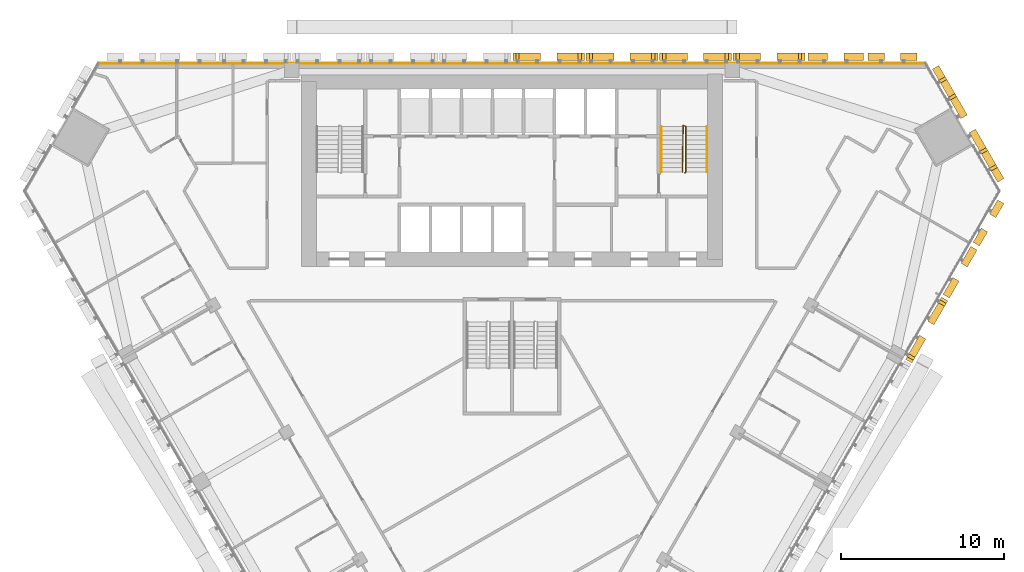
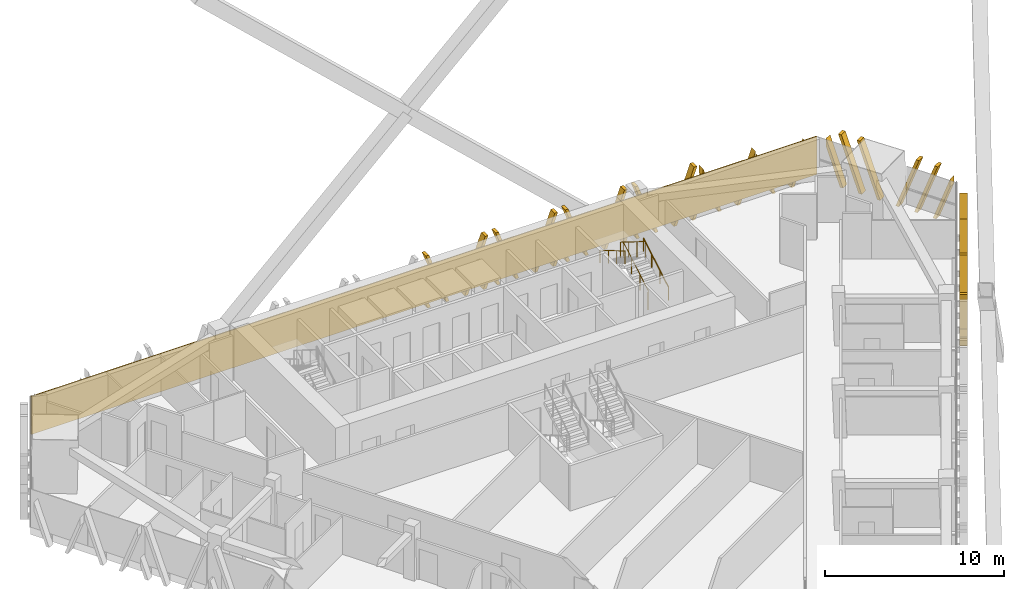
# One storey, part 18 of 19: 10 shading devices, 3 railings, 1 covering.
"""IFC4 building model written with IfcOpenShell, lengths in metres."""

from ifc_helpers import new_model, si_unit, direction, frame, frame_2d, origin, origin_2d, place, context, subcontext, project, spatial, polyline, rectangle, circle, outline, extrude, source, transform, mapped, material, layer, layer_set, type_object, element, save


model = new_model("IFC4")

# Units and contexts
model_context = context("Model", 3, precision=1e-05, world=origin(), true_north=direction((0.0, 1.0)))
body_context = subcontext(model_context, "Body", "Model", "MODEL_VIEW")
ifc_project = project(units=[si_unit("LENGTHUNIT", "METRE"), si_unit("AREAUNIT", "SQUARE_METRE"), si_unit("VOLUMEUNIT", "CUBIC_METRE"), si_unit("PLANEANGLEUNIT", "RADIAN"), si_unit("MASSUNIT", "GRAM", prefix="KILO")], contexts=[model_context])

# Site, building, storey
site_placement = place(None, origin())
site = spatial("IfcSite", under=ifc_project, at=site_placement, CompositionType="ELEMENT")
building_placement = place(site_placement, origin())
building = spatial("IfcBuilding", under=site, at=building_placement, Name="Altiplano Prism Tower", CompositionType="ELEMENT")
storey_placement = place(building_placement, frame((0.0, 0.0, 70.199951171875)))
storey = spatial("IfcBuildingStorey", under=building, at=storey_placement, Name="L17", CompositionType="ELEMENT", Elevation=70.199951171875)

# Railings
ifc_material_1 = material(Name="Steel S355", Category="steel")
railing_type_1 = type_object("IfcRailingType", Name="Stair guard 1100", PredefinedType="GUARDRAIL", material=ifc_material_1)
railing_1_placement = place(storey_placement, frame((95.60009765625, 98.25, 0.0)))
element("IfcRailing", 1, at=railing_1_placement, inside=storey, type_object=railing_type_1, Name="L17 ST2 stair guard 1", PredefinedType="GUARDRAIL", context=body_context, shape_type="SweptSolid", body=[
    extrude(circle(Radius=0.02392578125, at=origin_2d()), frame((0.0, 0.0, 1.076171875), z_axis=(0.279546231943, 0.280916556609, 0.91811752648), x_axis=(-0.708833529934, 0.705375805398, 0.0)), (0.0, 0.0, 1.0), 0.17822265625),
    extrude(circle(Radius=0.02392578125, at=origin_2d()), frame((0.0498046875, 0.050048828125, 1.23974609375), z_axis=(0.0, 0.863360870873, 0.504586966384), x_axis=(-1.0, 0.0, 0.0)), (0.0, 0.0, 1.0), 3.2431640625),
    extrude(circle(Radius=0.02392578125, at=origin_2d()), frame((0.0498046875, 2.85009765625, 2.8759765625), z_axis=(-0.948991962702, 0.315300261223, 0.0), x_axis=(-0.315300261223, -0.948991962702, 0.0)), (0.0, 0.0, 1.0), 0.157958984375),
    extrude(circle(Radius=0.02392578125, at=origin_2d()), frame((-0.10009765625, 2.89990234375, 2.8759765625), z_axis=(-0.014846418356, -0.845376787675, 0.533964109957), x_axis=(0.999845825584, -0.017559187376, 0.0)), (0.0, 0.0, 1.0), 3.37109375),
    extrude(circle(Radius=0.02099609375, at=origin_2d()), origin(), (0.0, 0.0, 1.0), 1.052001953125),
    extrude(circle(Radius=0.02099609375, at=origin_2d()), frame((0.0498046875, 0.050048828125, 0.16357421875)), (0.0, 0.0, 1.0), 1.052001953125),
    extrude(circle(Radius=0.02099609375, at=origin_2d()), frame((0.0498046875, 0.9833984375, 0.708984375)), (0.0, 0.0, 1.0), 1.052001953125),
    extrude(circle(Radius=0.02099609375, at=origin_2d()), frame((0.0498046875, 1.916748046875, 1.254638671875)), (0.0, 0.0, 1.0), 1.052001953125),
    extrude(circle(Radius=0.02099609375, at=origin_2d()), frame((0.0498046875, 2.85009765625, 1.800048828125)), (0.0, 0.0, 1.0), 1.052001953125),
    extrude(circle(Radius=0.02099609375, at=origin_2d()), frame((-0.10009765625, 2.89990234375, 1.800048828125)), (0.0, 0.0, 1.0), 1.052001953125),
    extrude(circle(Radius=0.02099609375, at=origin_2d()), frame((-0.11669921875, 1.949951171875, 2.400146484375)), (0.0, 0.0, 1.0), 1.052001953125),
    extrude(circle(Radius=0.02099609375, at=origin_2d()), frame((-0.133544921875, 1.0, 3.0)), (0.0, 0.0, 1.0), 1.052001953125),
    extrude(circle(Radius=0.02099609375, at=origin_2d()), frame((-0.150146484375, 0.050048828125, 3.60009765625)), (0.0, 0.0, 1.0), 1.052001953125),
])
railing_type_2 = type_object("IfcRailingType", Name="Stair handrail 900", PredefinedType="HANDRAIL", material=ifc_material_1)
railing_2_placement = place(storey_placement, frame((96.949951171875, 98.300048828125, 0.16357421875)))
element("IfcRailing", 2, at=railing_2_placement, inside=storey, type_object=railing_type_2, Name="L17 ST2 stair handrail 1", PredefinedType="HANDRAIL", context=body_context, shape_type="SweptSolid", body=[
    extrude(circle(Radius=0.02392578125, at=origin_2d()), frame((0.0, 0.0, 0.8759765625), z_axis=(0.0, 0.863360870873, 0.504586966384), x_axis=(-1.0, 0.0, 0.0)), (0.0, 0.0, 1.0), 3.2431640625),
    extrude(circle(Radius=0.02099609375, at=origin_2d()), origin(), (0.0, 0.0, 1.0), 0.851806640625),
    extrude(circle(Radius=0.02099609375, at=origin_2d()), frame((0.0, 0.933349609375, 0.54541015625)), (0.0, 0.0, 1.0), 0.851806640625),
    extrude(circle(Radius=0.02099609375, at=origin_2d()), frame((0.0, 1.86669921875, 1.091064453125)), (0.0, 0.0, 1.0), 0.851806640625),
    extrude(circle(Radius=0.02099609375, at=origin_2d()), frame((0.0, 2.800048828125, 1.636474609375)), (0.0, 0.0, 1.0), 0.851806640625),
])
railing_3_placement = place(storey_placement, frame((94.14990234375, 101.10009765625, 1.963623046875)))
element("IfcRailing", 3, at=railing_3_placement, inside=storey, type_object=railing_type_2, Name="L17 ST2 stair handrail 2", PredefinedType="HANDRAIL", context=body_context, shape_type="SweptSolid", body=[
    extrude(circle(Radius=0.02392578125, at=origin_2d()), frame((0.0, 0.0, 0.8759765625), z_axis=(0.0, -0.863360870873, 0.504586966384), x_axis=(1.0, 0.0, 0.0)), (0.0, 0.0, 1.0), 3.2431640625),
    extrude(circle(Radius=0.02099609375, at=origin_2d()), origin(), (0.0, 0.0, 1.0), 0.851806640625),
    extrude(circle(Radius=0.02099609375, at=origin_2d()), frame((0.0, -0.933349609375, 0.54541015625)), (0.0, 0.0, 1.0), 0.851806640625),
    extrude(circle(Radius=0.02099609375, at=origin_2d()), frame((0.0, -1.86669921875, 1.091064453125)), (0.0, 0.0, 1.0), 0.851806640625),
    extrude(circle(Radius=0.02099609375, at=origin_2d()), frame((0.0, -2.800048828125, 1.636474609375)), (0.0, 0.0, 1.0), 0.851806640625),
])

# Covering
ifc_material_2 = material(Name="Warm limestone cast stone", Category="masonry")
ifc_layer = layer(ifc_material_2, 0.06005859375)
ifc_layer_set = layer_set([ifc_layer], Name="Warm limestone cast stone")
covering_type = type_object("IfcCoveringType", Name="Stone cladding 60", PredefinedType="CLADDING", material=ifc_layer_set)
covering_placement = place(storey_placement, frame((59.623046875, 104.969970703125, 0.0), z_axis=(0.0, 0.0, 1.0), x_axis=(1.0, 0.0, 0.0)))
element("IfcCovering", 4, at=covering_placement, inside=storey, type_object=covering_type, Name="Stone cladding north face L17", PredefinedType="CLADDING", context=body_context, shape_type="SweptSolid", body=[
    extrude(rectangle(XDim=50.75390625, YDim=0.06005859375, at=frame_2d((25.376953125, 0.0))), origin(), (0.0, 0.0, 1.0), 2.60009765625),
])

# Shading devices
shading_device_type_1 = type_object("IfcShadingDeviceType", Name="Stone fin panel, standard unit", PredefinedType="USERDEFINED", material=ifc_material_2)
shared_shape_1 = source(origin(), body_context, "Body", "SweptSolid", [
    extrude(outline(polyline([(-2.199951171875, 1.373779296875), (-2.199951171875, 0.82421875), (-1.89990234375, 0.0), (-1.699951171875, 0.0), (-2.199951171875, 1.373779296875)])), frame((0.0, -0.14990234375, 0.0), z_axis=(0.0, -1.0, 0.0), x_axis=(1.0, 0.0, 0.0)), (0.0, 0.0, 1.0), 0.4501953125),
    extrude(outline(polyline([(-2.01025390625, 3.60009765625), (-0.699951171875, 0.0), (-0.5, 0.0), (-1.810302734375, 3.60009765625), (-2.01025390625, 3.60009765625)])), frame((0.0, -0.14990234375, 0.0), z_axis=(0.0, -1.0, 0.0), x_axis=(1.0, 0.0, 0.0)), (0.0, 0.0, 1.0), 0.4501953125),
    extrude(outline(polyline([(1.810302734375, 3.60009765625), (0.5, 0.0), (0.699951171875, 0.0), (2.01025390625, 3.60009765625), (1.810302734375, 3.60009765625)])), frame((0.0, -0.14990234375, 0.0), z_axis=(0.0, -1.0, 0.0), x_axis=(1.0, 0.0, 0.0)), (0.0, 0.0, 1.0), 0.4501953125),
    extrude(outline(polyline([(2.199951171875, 0.82421875), (2.199951171875, 1.373779296875), (1.699951171875, 0.0), (1.89990234375, 0.0), (2.199951171875, 0.82421875)])), frame((0.0, -0.14990234375, 0.0), z_axis=(0.0, -1.0, 0.0), x_axis=(1.0, 0.0, 0.0)), (0.0, 0.0, 1.0), 0.4501953125),
])
shading_device_1_placement = place(storey_placement, origin())
element("IfcShadingDevice", 5, at=shading_device_1_placement, inside=storey, type_object=shading_device_type_1, Name="Fin L17 north face 3", ObjectType="FIN", PredefinedType="USERDEFINED", context=body_context, shape_type="MappedRepresentation", body=[
    mapped(shared_shape_1, transform((100.75, 105.0, -0.5), x_axis=(-1.0, 0.0, 0.0), y_axis=(0.0, -1.0, 0.0), z_axis=(0.0, 0.0, 1.0))),
])
shading_device_2_placement = place(storey_placement, origin())
element("IfcShadingDevice", 6, at=shading_device_2_placement, inside=storey, type_object=shading_device_type_1, Name="Fin L17 north face 4", ObjectType="FIN", PredefinedType="USERDEFINED", context=body_context, shape_type="MappedRepresentation", body=[
    mapped(shared_shape_1, transform((96.25, 105.0, -0.5), x_axis=(-1.0, 0.0, 0.0), y_axis=(0.0, -1.0, 0.0), z_axis=(0.0, 0.0, 1.0))),
])
shading_device_3_placement = place(storey_placement, origin())
element("IfcShadingDevice", 7, at=shading_device_3_placement, inside=storey, type_object=shading_device_type_1, Name="Fin L17 north face 5", ObjectType="FIN", PredefinedType="USERDEFINED", context=body_context, shape_type="MappedRepresentation", body=[
    mapped(shared_shape_1, transform((91.75, 105.0, -0.5), x_axis=(-1.0, 0.0, 0.0), y_axis=(0.0, -1.0, 0.0), z_axis=(0.0, 0.0, 1.0))),
])
shading_device_4_placement = place(storey_placement, origin())
element("IfcShadingDevice", 8, at=shading_device_4_placement, inside=storey, type_object=shading_device_type_1, Name="Fin L17 north face 6", ObjectType="FIN", PredefinedType="USERDEFINED", context=body_context, shape_type="MappedRepresentation", body=[
    mapped(shared_shape_1, transform((87.25, 105.0, -0.5), x_axis=(-1.0, 0.0, 0.0), y_axis=(0.0, -1.0, 0.0), z_axis=(0.0, 0.0, 1.0))),
])
shading_device_5_placement = place(storey_placement, origin())
element("IfcShadingDevice", 9, at=shading_device_5_placement, inside=storey, type_object=shading_device_type_1, Name="Fin L17 south-east face 10", ObjectType="FIN", PredefinedType="USERDEFINED", context=body_context, shape_type="MappedRepresentation", body=[
    mapped(shared_shape_1, transform((110.1015625, 88.802490234375, -0.5), x_axis=(0.50000000109, 0.866025403155, 0.0), y_axis=(-0.866025403155, 0.50000000109, 0.0), z_axis=(0.0, 0.0, 1.0))),
])
shading_device_type_2 = type_object("IfcShadingDeviceType", Name="Stone fin panel, narrow closing bay", PredefinedType="USERDEFINED", material=ifc_material_2)
shared_shape_2 = source(origin(), body_context, "Body", "SweptSolid", [
    extrude(outline(polyline([(-1.699951171875, 3.297119140625), (-1.699951171875, 2.74755859375), (-0.699951171875, 0.0), (-0.5, 0.0), (-1.699951171875, 3.297119140625)])), frame((0.0, -0.14990234375, 0.0), z_axis=(0.0, -1.0, 0.0), x_axis=(1.0, 0.0, 0.0)), (0.0, 0.0, 1.0), 0.4501953125),
    extrude(outline(polyline([(1.699951171875, 2.74755859375), (1.699951171875, 3.297119140625), (0.5, 0.0), (0.699951171875, 0.0), (1.699951171875, 2.74755859375)])), frame((0.0, -0.14990234375, 0.0), z_axis=(0.0, -1.0, 0.0), x_axis=(1.0, 0.0, 0.0)), (0.0, 0.0, 1.0), 0.4501953125),
])
shading_device_6_placement = place(storey_placement, origin())
element("IfcShadingDevice", 10, at=shading_device_6_placement, inside=storey, type_object=shading_device_type_2, Name="Fin L17 north face 2", ObjectType="FIN", PredefinedType="USERDEFINED", context=body_context, shape_type="MappedRepresentation", body=[
    mapped(shared_shape_2, transform((104.84423828125, 105.0, -0.5), x_axis=(-1.0, 0.0, 0.0), y_axis=(0.0, -1.0, 0.0), z_axis=(0.0, 0.0, 1.0))),
])
shading_device_7_placement = place(storey_placement, origin())
element("IfcShadingDevice", 11, at=shading_device_7_placement, inside=storey, type_object=shading_device_type_2, Name="Fin L17 south-east face 11", ObjectType="FIN", PredefinedType="USERDEFINED", context=body_context, shape_type="MappedRepresentation", body=[
    mapped(shared_shape_2, transform((112.148681640625, 92.34814453125, -0.5), x_axis=(0.50000000109, 0.866025403155, 0.0), y_axis=(-0.866025403155, 0.50000000109, 0.0), z_axis=(0.0, 0.0, 1.0))),
])
shared_shape_3 = source(origin(), body_context, "Body", "SweptSolid", [
    extrude(outline(polyline([(-1.5, 2.74755859375), (-1.5, 2.197998046875), (-0.699951171875, 0.0), (-0.5, 0.0), (-1.5, 2.74755859375)])), frame((0.0, -0.14990234375, 0.0), z_axis=(0.0, -1.0, 0.0), x_axis=(1.0, 0.0, 0.0)), (0.0, 0.0, 1.0), 0.4501953125),
    extrude(outline(polyline([(1.5, 2.197998046875), (1.5, 2.74755859375), (0.5, 0.0), (0.699951171875, 0.0), (1.5, 2.197998046875)])), frame((0.0, -0.14990234375, 0.0), z_axis=(0.0, -1.0, 0.0), x_axis=(1.0, 0.0, 0.0)), (0.0, 0.0, 1.0), 0.4501953125),
])
shading_device_8_placement = place(storey_placement, origin())
element("IfcShadingDevice", 12, at=shading_device_8_placement, inside=storey, type_object=shading_device_type_2, Name="Fin L17 north face 1", ObjectType="FIN", PredefinedType="USERDEFINED", context=body_context, shape_type="MappedRepresentation", body=[
    mapped(shared_shape_3, transform((108.332763671875, 105.0, -0.5), x_axis=(-1.0, 0.0, 0.0), y_axis=(0.0, -1.0, 0.0), z_axis=(0.0, 0.0, 1.0))),
])
shading_device_9_placement = place(storey_placement, origin())
element("IfcShadingDevice", 13, at=shading_device_9_placement, inside=storey, type_object=shading_device_type_2, Name="Fin L17 south-east face 12", ObjectType="FIN", PredefinedType="USERDEFINED", context=body_context, shape_type="MappedRepresentation", body=[
    mapped(shared_shape_3, transform((113.89306640625, 95.369384765625, -0.5), x_axis=(0.50000000109, 0.866025403155, 0.0), y_axis=(-0.866025403155, 0.50000000109, 0.0), z_axis=(0.0, 0.0, 1.0))),
])
shading_device_type_3 = type_object("IfcShadingDeviceType", Name="Stone fin panel, chamfer unit", PredefinedType="USERDEFINED", material=ifc_material_2)
shared_shape_4 = source(origin(), body_context, "Body", "SweptSolid", [
    extrude(outline(polyline([(-4.0, 3.022216796875), (-4.0, 2.47265625), (-3.10009765625, 0.0), (-2.89990234375, 0.0), (-4.0, 3.022216796875)])), frame((0.0, -0.14990234375, 0.0), z_axis=(0.0, -1.0, 0.0), x_axis=(1.0, 0.0, 0.0)), (0.0, 0.0, 1.0), 0.4501953125),
    extrude(outline(polyline([(-3.210205078125, 3.60009765625), (-1.89990234375, 0.0), (-1.699951171875, 0.0), (-3.01025390625, 3.60009765625), (-3.210205078125, 3.60009765625)])), frame((0.0, -0.14990234375, 0.0), z_axis=(0.0, -1.0, 0.0), x_axis=(1.0, 0.0, 0.0)), (0.0, 0.0, 1.0), 0.4501953125),
    extrude(outline(polyline([(-2.01025390625, 3.60009765625), (-0.699951171875, 0.0), (-0.5, 0.0), (-1.810302734375, 3.60009765625), (-2.01025390625, 3.60009765625)])), frame((0.0, -0.14990234375, 0.0), z_axis=(0.0, -1.0, 0.0), x_axis=(1.0, 0.0, 0.0)), (0.0, 0.0, 1.0), 0.4501953125),
    extrude(outline(polyline([(1.810302734375, 3.60009765625), (0.5, 0.0), (0.699951171875, 0.0), (2.01025390625, 3.60009765625), (1.810302734375, 3.60009765625)])), frame((0.0, -0.14990234375, 0.0), z_axis=(0.0, -1.0, 0.0), x_axis=(1.0, 0.0, 0.0)), (0.0, 0.0, 1.0), 0.4501953125),
    extrude(outline(polyline([(3.01025390625, 3.60009765625), (1.699951171875, 0.0), (1.89990234375, 0.0), (3.210205078125, 3.60009765625), (3.01025390625, 3.60009765625)])), frame((0.0, -0.14990234375, 0.0), z_axis=(0.0, -1.0, 0.0), x_axis=(1.0, 0.0, 0.0)), (0.0, 0.0, 1.0), 0.4501953125),
    extrude(outline(polyline([(4.0, 2.47265625), (4.0, 3.022216796875), (2.89990234375, 0.0), (3.10009765625, 0.0), (4.0, 2.47265625)])), frame((0.0, -0.14990234375, 0.0), z_axis=(0.0, -1.0, 0.0), x_axis=(1.0, 0.0, 0.0)), (0.0, 0.0, 1.0), 0.4501953125),
])
shading_device_10_placement = place(storey_placement, origin())
element("IfcShadingDevice", 14, at=shading_device_10_placement, inside=storey, type_object=shading_device_type_3, Name="Fin L17 north-east chamfer 1", ObjectType="FIN", PredefinedType="USERDEFINED", context=body_context, shape_type="MappedRepresentation", body=[
    mapped(shared_shape_4, transform((112.64599609375, 101.06982421875, -0.5), x_axis=(-0.500000015804, 0.86602539466, 0.0), y_axis=(-0.86602539466, -0.500000015804, 0.0), z_axis=(0.0, 0.0, 1.0))),
])

save(model, "model.ifc")
